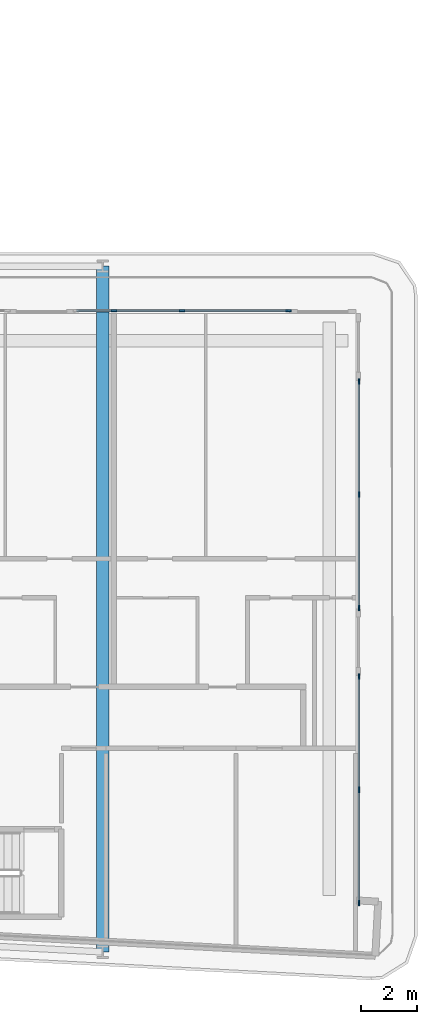
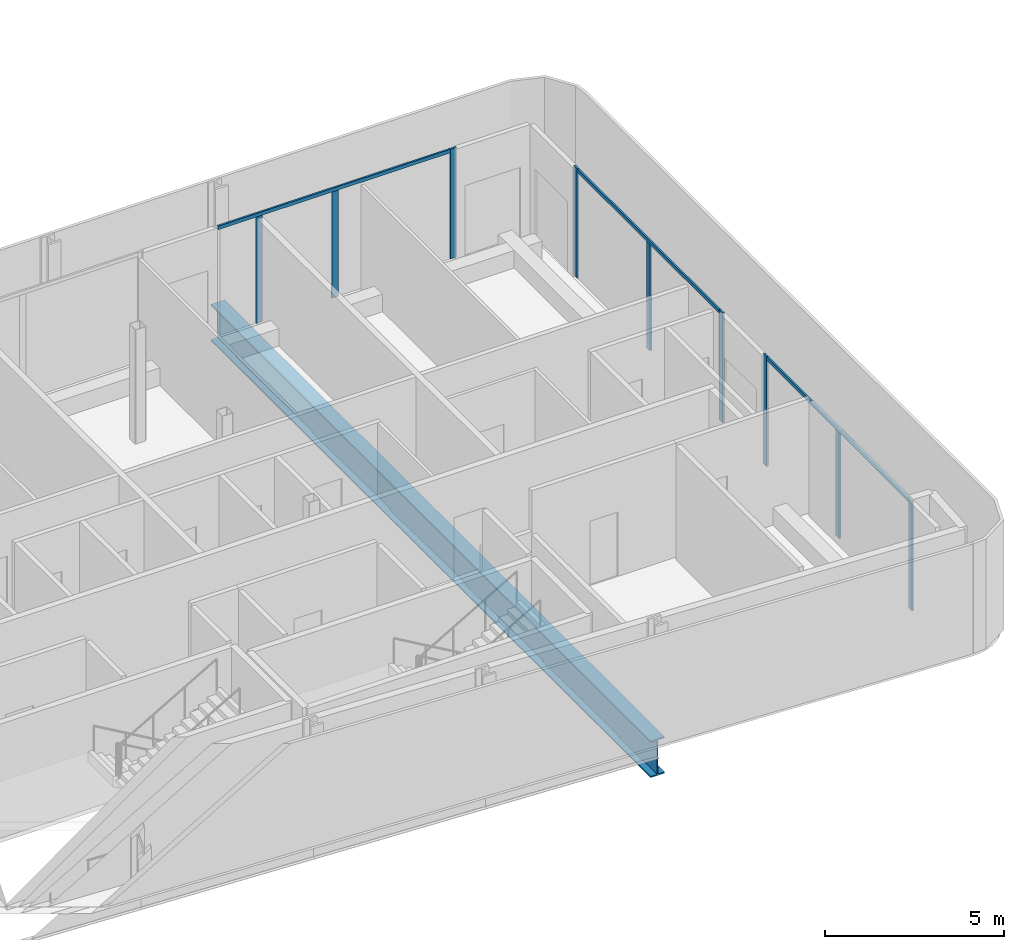
# One storey, part 8 of 28: 12 members, 1 beam, 3 elements without a shape of their own.
"""IFC4 building model written with IfcOpenShell, lengths in metres."""

import ifcopenshell
import ifcopenshell.guid

model = None  # the IFC model being written
_history = None  # IfcOwnerHistory: only IFC2X3 demands one
_inside = {}  # id of a spatial element -> (the spatial element, [elements in it])
_under = {}  # id of a project, library or spatial element -> (it, [spatial elements below it])
_declared = {}  # id of a project -> (the project, [libraries it declares])
_typed = {}  # id of a type object -> (the type object, [elements of that type])
_made_of = {}  # id of a material, layer set ... -> (it, [elements and type objects made of it])


def new_model(schema):
    """Start an empty IFC model of exactly this schema.

    Asked for "IFC4X3", IfcOpenShell would pick the latest addendum, in which some entities
    have other attributes; the version numbers below select the first issue.
    IFC2X3 requires an IfcOwnerHistory on every rooted entity: one is made here for all.
    """
    global model, _history
    if schema == "IFC4X3":
        model = ifcopenshell.file(schema_version=(4, 3, 0, 0))
    else:
        model = ifcopenshell.file(schema=schema)
    _inside.clear()
    _under.clear()
    _declared.clear()
    _typed.clear()
    _made_of.clear()
    _history = None
    if model.schema == "IFC2X3":
        org = make("IfcOrganization", Name="unknown")
        user = make(
            "IfcPersonAndOrganization",
            ThePerson=make("IfcPerson", FamilyName="unknown"),
            TheOrganization=org,
        )
        app = make(
            "IfcApplication",
            ApplicationDeveloper=org,
            Version="unknown",
            ApplicationFullName="unknown",
            ApplicationIdentifier="unknown",
        )
        _history = make(
            "IfcOwnerHistory",
            OwningUser=user,
            OwningApplication=app,
            ChangeAction="ADDED",
            CreationDate=0,
        )
    return model


def make(cls, **values):
    """One entity of the class cls with the attributes given. An attribute that is None is left unset."""
    return model.create_entity(
        cls, **{name: value for name, value in values.items() if value is not None}
    )


def rooted(cls, **values):
    """An entity with a GlobalId (a new one), such as an element, a storey or a relation."""
    return make(cls, GlobalId=ifcopenshell.guid.new(), OwnerHistory=_history, **values)


def si_unit(unit_type, name, prefix=None):
    """IfcSIUnit, for example si_unit("LENGTHUNIT", "METRE", prefix="MILLI")."""
    return make("IfcSIUnit", UnitType=unit_type, Prefix=prefix, Name=name)


def assignment(units):
    """IfcUnitAssignment: the units of a project."""
    return None if units is None else make("IfcUnitAssignment", Units=units)


def point(xyz):
    """IfcCartesianPoint."""
    return None if xyz is None else make("IfcCartesianPoint", Coordinates=xyz)


def direction(xyz):
    """IfcDirection."""
    return None if xyz is None else make("IfcDirection", DirectionRatios=xyz)


def frame(location, z_axis=None, x_axis=None):
    """IfcAxis2Placement3D, a coordinate frame: its origin and axes. An axis left out is left unset."""
    return make(
        "IfcAxis2Placement3D",
        Location=point(location),
        Axis=direction(z_axis),
        RefDirection=direction(x_axis),
    )


def frame_2d(location, x_axis=None):
    """IfcAxis2Placement2D, a coordinate frame in the plane: its origin and x axis."""
    return make(
        "IfcAxis2Placement2D", Location=point(location), RefDirection=direction(x_axis)
    )


def origin():
    """The frame at (0, 0, 0) with its axes left unset."""
    return frame((0.0, 0.0, 0.0))


def origin_2d():
    """The frame at (0, 0) in the plane with its x axis left unset."""
    return frame_2d((0.0, 0.0))


def place(relative_to, where):
    """IfcLocalPlacement: puts the frame where relative to a parent placement (None: the world)."""
    return make(
        "IfcLocalPlacement", PlacementRelTo=relative_to, RelativePlacement=where
    )


def context(
    kind, dimensions, precision=None, world=None, true_north=None, identifier=None
):
    """IfcGeometricRepresentationContext, for example the 3D "Model" context."""
    return make(
        "IfcGeometricRepresentationContext",
        ContextIdentifier=identifier,
        ContextType=kind,
        CoordinateSpaceDimension=dimensions,
        Precision=precision,
        WorldCoordinateSystem=world,
        TrueNorth=true_north,
    )


def subcontext(parent, identifier, kind, view, scale=None):
    """IfcGeometricRepresentationSubContext, for example "Body" below "Model"."""
    return make(
        "IfcGeometricRepresentationSubContext",
        ContextIdentifier=identifier,
        ContextType=kind,
        ParentContext=parent,
        TargetScale=scale,
        TargetView=view,
    )


def project(units=None, contexts=None):
    """IfcProject with its units and contexts."""
    return rooted(
        "IfcProject",
        Name="project",
        RepresentationContexts=contexts,
        UnitsInContext=assignment(units),
    )


def spatial(cls, under=None, at=None, **own):
    """A site, building, storey or space (cls), placed at a placement, below another one or the project."""
    s = rooted(cls, ObjectPlacement=at, **own)
    if under is not None:
        _under.setdefault(under.id(), (under, []))[1].append(s)
    return s


def profile(cls, at=None, kind="AREA", **sizes):
    """A parametric profile (cls). Its sizes go by their IFC names, for example OverallWidth=200.0."""
    return make(cls, ProfileType=kind, Position=at, **sizes)


def rectangle(**sizes):
    """IfcRectangleProfileDef."""
    return profile("IfcRectangleProfileDef", **sizes)


def i_section(**sizes):
    """IfcIShapeProfileDef."""
    return profile("IfcIShapeProfileDef", **sizes)


def extrude(swept, where, along, depth):
    """IfcExtrudedAreaSolid: the profile swept, set in the frame where, extruded along a direction by depth."""
    return make(
        "IfcExtrudedAreaSolid",
        SweptArea=swept,
        Position=where,
        ExtrudedDirection=direction(along),
        Depth=depth,
    )


def shape(context_of_items, identifier, shape_type, items):
    """IfcShapeRepresentation: the items that make up one representation, for example the "Body"."""
    return make(
        "IfcShapeRepresentation",
        ContextOfItems=context_of_items,
        RepresentationIdentifier=identifier,
        RepresentationType=shape_type,
        Items=items,
    )


def material(Name=None, Category=None):
    """IfcMaterial."""
    return make("IfcMaterial", Name=Name, Category=Category)


def layer(
    of_material, thickness, ventilated=None, Name=None, Category=None, Priority=None
):
    """IfcMaterialLayer: one layer of a wall or slab, of a material (None: an air gap)."""
    return make(
        "IfcMaterialLayer",
        Material=of_material,
        LayerThickness=thickness,
        IsVentilated=ventilated,
        Name=Name,
        Category=Category,
        Priority=Priority,
    )


def layer_set(layers, Name=None):
    """IfcMaterialLayerSet."""
    return make("IfcMaterialLayerSet", MaterialLayers=layers, LayerSetName=Name)


def material_profile(
    of_material, cross_section, Name=None, Category=None, Priority=None
):
    """IfcMaterialProfile: a cross section and its material."""
    return make(
        "IfcMaterialProfile",
        Name=Name,
        Material=of_material,
        Profile=cross_section,
        Priority=Priority,
        Category=Category,
    )


def profile_set(profiles, Name=None, composite=None):
    """IfcMaterialProfileSet."""
    return make(
        "IfcMaterialProfileSet",
        Name=Name,
        MaterialProfiles=profiles,
        CompositeProfile=composite,
    )


def made_of(thing, what):
    """Note that an element or type object is made of a material, layer set ...; save() writes the relation."""
    if what is not None:
        _made_of.setdefault(what.id(), (what, []))[1].append(thing)
    return thing


def type_object(cls, material=None, **own):
    """A type object (cls), such as IfcWallType, which elements share."""
    return made_of(rooted(cls, **own), material)


def element(
    cls,
    number,
    at=None,
    inside=None,
    cuts=None,
    type_object=None,
    material=None,
    context=None,
    identifier="Body",
    shape_type=None,
    held_by="IfcProductDefinitionShape",
    body=None,
    shapes=None,
    **own,
):
    """One element of the class cls, such as IfcWall. Its Tag is "e" and its number.

    at: its placement. inside: the storey or other place that contains it. cuts: it is an
    opening in that element (IfcRelVoidsElement). A single representation is given by context,
    identifier, shape_type and body (its items); several are given by shapes. held_by: the class
    of the entity that holds the representations. save() writes the other relations.
    """
    e = rooted(cls, Tag="e%d" % number, ObjectPlacement=at, **own)
    if body is not None:
        shapes = [shape(context, identifier, shape_type, body)]
    if shapes is not None:
        e.Representation = make(held_by, Representations=shapes)
    if inside is not None:
        _inside.setdefault(inside.id(), (inside, []))[1].append(e)
    if cuts is not None:
        rooted(
            "IfcRelVoidsElement", RelatingBuildingElement=cuts, RelatedOpeningElement=e
        )
    if type_object is not None:
        _typed.setdefault(type_object.id(), (type_object, []))[1].append(e)
    return made_of(e, material)


def aggregate(whole, parts):
    """IfcRelAggregates: a whole, such as a stair, and the parts it consists of."""
    return rooted("IfcRelAggregates", RelatingObject=whole, RelatedObjects=parts)


def save(model, path):
    """Write the relations noted so far, then the file.

    IfcRelAggregates (storeys below a building ...), IfcRelContainedInSpatialStructure (elements
    in a storey), IfcRelDefinesByType, IfcRelAssociatesMaterial and IfcRelDeclares: one each for
    every whole, place, type object, material and project.
    """
    for whole, parts in _under.values():
        aggregate(whole, parts)
    for where, things in _inside.values():
        rooted(
            "IfcRelContainedInSpatialStructure",
            RelatedElements=things,
            RelatingStructure=where,
        )
    for kind, things in _typed.values():
        rooted("IfcRelDefinesByType", RelatedObjects=things, RelatingType=kind)
    for what, things in _made_of.values():
        rooted("IfcRelAssociatesMaterial", RelatedObjects=things, RelatingMaterial=what)
    for by, libraries in _declared.values():
        rooted("IfcRelDeclares", RelatingContext=by, RelatedDefinitions=libraries)
    model.write(path)


model = new_model("IFC4")

# Units and contexts
model_context = context("Model", 3, precision=1e-05, world=origin(), true_north=direction((0.0, 1.0)))
body_context = subcontext(model_context, "Body", "Model", "MODEL_VIEW")
ifc_project = project(units=[si_unit("LENGTHUNIT", "METRE"), si_unit("AREAUNIT", "SQUARE_METRE"), si_unit("VOLUMEUNIT", "CUBIC_METRE"), si_unit("PLANEANGLEUNIT", "RADIAN"), si_unit("MASSUNIT", "GRAM", prefix="KILO")], contexts=[model_context])

# Site, building, storey
site_placement = place(None, origin())
site = spatial("IfcSite", under=ifc_project, at=site_placement, CompositionType="ELEMENT")
building_placement = place(site_placement, origin())
building = spatial("IfcBuilding", under=site, at=building_placement, Name="Kheshtan School and Residences Tower", CompositionType="ELEMENT")
storey_placement = place(building_placement, frame((0.0, 0.0, 129.199951171875)))
storey = spatial("IfcBuildingStorey", under=building, at=storey_placement, Name="L30", CompositionType="ELEMENT", Elevation=129.199951171875)

# Curtain wall, members
ifc_material_1 = material(Name="Clear low-e glass in thermally broken aluminium frame", Category="aluminium")
ifc_layer = layer(ifc_material_1, 0.199951171875)
ifc_layer_set = layer_set([ifc_layer], Name="Curtain wall CW-L")
curtain_wall_type = type_object("IfcCurtainWallType", Name="Curtain wall CW-L", PredefinedType="NOTDEFINED", material=ifc_layer_set)
curtain_wall_1_placement = place(storey_placement, origin())
curtain_wall_1 = element("IfcCurtainWall", 1, at=curtain_wall_1_placement, inside=storey, type_object=curtain_wall_type, Name="Curtain wall CWL12k", PredefinedType="NOTDEFINED")
ifc_material_2 = material(Name="Thermally broken aluminium, dark bronze anodised", Category="aluminium")
ifc_material_profile_1 = material_profile(ifc_material_2, rectangle(XDim=0.06005859375, YDim=0.199951171875, at=origin_2d()), Name="CW-L mullion 60x200")
ifc_profile_set_1 = profile_set([ifc_material_profile_1], Name="Thermally broken aluminium, dark bronze anodised")
member_type_1 = type_object("IfcMemberType", Name="CW-L mullion 60x200", PredefinedType="MULLION", material=ifc_profile_set_1)
member_1_placement = place(storey_placement, frame((91.199951171875, 44.0, 0.0), z_axis=(0.0, 0.0, 1.0), x_axis=(0.0, 1.0, 0.0)))
member_1 = element("IfcMember", 2, at=member_1_placement, type_object=member_type_1, Name="CWL12k mullion 2", PredefinedType="MULLION", context=body_context, shape_type="SweptSolid", body=[
    extrude(rectangle(XDim=0.06005859375, YDim=0.199951171875, at=origin_2d()), origin(), (0.0, 0.0, 1.0), 3.630126953125),
])
member_2_placement = place(storey_placement, frame((93.653076171875, 44.0, 0.0), z_axis=(0.0, 0.0, 1.0), x_axis=(0.0, 1.0, 0.0)))
member_2 = element("IfcMember", 3, at=member_2_placement, type_object=member_type_1, Name="CWL12k mullion 3", PredefinedType="MULLION", context=body_context, shape_type="SweptSolid", body=[
    extrude(rectangle(XDim=0.06005859375, YDim=0.199951171875, at=origin_2d()), origin(), (0.0, 0.0, 1.0), 3.630126953125),
])
member_3_placement = place(storey_placement, frame((97.469970703125, 44.0, 0.0), z_axis=(0.0, 0.0, 1.0), x_axis=(0.0, 1.0, 0.0)))
member_3 = element("IfcMember", 4, at=member_3_placement, type_object=member_type_1, Name="CWL12k mullion 4", PredefinedType="MULLION", context=body_context, shape_type="SweptSolid", body=[
    extrude(rectangle(XDim=0.06005859375, YDim=0.199951171875, at=origin_2d()), origin(), (0.0, 0.0, 1.0), 3.75),
])

curtain_wall_2_placement = place(storey_placement, origin())
curtain_wall_2 = element("IfcCurtainWall", 5, at=curtain_wall_2_placement, inside=storey, type_object=curtain_wall_type, Name="Curtain wall CWL13b", PredefinedType="NOTDEFINED")
member_4_placement = place(storey_placement, frame((100.0, 41.469970703125, 0.0), z_axis=(0.0, 0.0, 1.0), x_axis=(1.0, 0.0, 0.0)))
member_4 = element("IfcMember", 6, at=member_4_placement, type_object=member_type_1, Name="CWL13b mullion 1", PredefinedType="MULLION", context=body_context, shape_type="SweptSolid", body=[
    extrude(rectangle(XDim=0.06005859375, YDim=0.199951171875, at=origin_2d()), origin(), (0.0, 0.0, 1.0), 3.75),
])
member_5_placement = place(storey_placement, frame((100.0, 37.403564453125, 0.0), z_axis=(0.0, 0.0, 1.0), x_axis=(1.0, 0.0, 0.0)))
member_5 = element("IfcMember", 7, at=member_5_placement, type_object=member_type_1, Name="CWL13b mullion 2", PredefinedType="MULLION", context=body_context, shape_type="SweptSolid", body=[
    extrude(rectangle(XDim=0.06005859375, YDim=0.199951171875, at=origin_2d()), origin(), (0.0, 0.0, 1.0), 3.630126953125),
])
member_6_placement = place(storey_placement, frame((100.0, 33.3369140625, 0.0), z_axis=(0.0, 0.0, 1.0), x_axis=(1.0, 0.0, 0.0)))
member_6 = element("IfcMember", 8, at=member_6_placement, type_object=member_type_1, Name="CWL13b mullion 3", PredefinedType="MULLION", context=body_context, shape_type="SweptSolid", body=[
    extrude(rectangle(XDim=0.06005859375, YDim=0.199951171875, at=origin_2d()), origin(), (0.0, 0.0, 1.0), 3.75),
])

curtain_wall_3_placement = place(storey_placement, origin())
curtain_wall_3 = element("IfcCurtainWall", 9, at=curtain_wall_3_placement, inside=storey, type_object=curtain_wall_type, Name="Curtain wall CWL13b", PredefinedType="NOTDEFINED")
member_7_placement = place(storey_placement, frame((100.0, 30.876953125, 0.0), z_axis=(0.0, 0.0, 1.0), x_axis=(1.0, 0.0, 0.0)))
member_7 = element("IfcMember", 10, at=member_7_placement, type_object=member_type_1, Name="CWL13b mullion 1", PredefinedType="MULLION", context=body_context, shape_type="SweptSolid", body=[
    extrude(rectangle(XDim=0.06005859375, YDim=0.199951171875, at=origin_2d()), origin(), (0.0, 0.0, 1.0), 3.75),
])
member_8_placement = place(storey_placement, frame((100.0, 26.810546875, 0.0), z_axis=(0.0, 0.0, 1.0), x_axis=(1.0, 0.0, 0.0)))
member_8 = element("IfcMember", 11, at=member_8_placement, type_object=member_type_1, Name="CWL13b mullion 2", PredefinedType="MULLION", context=body_context, shape_type="SweptSolid", body=[
    extrude(rectangle(XDim=0.06005859375, YDim=0.199951171875, at=origin_2d()), origin(), (0.0, 0.0, 1.0), 3.630126953125),
])
member_9_placement = place(storey_placement, frame((100.0, 22.743896484375, 0.0), z_axis=(0.0, 0.0, 1.0), x_axis=(1.0, 0.0, 0.0)))
member_9 = element("IfcMember", 12, at=member_9_placement, type_object=member_type_1, Name="CWL13b mullion 3", PredefinedType="MULLION", context=body_context, shape_type="SweptSolid", body=[
    extrude(rectangle(XDim=0.06005859375, YDim=0.199951171875, at=origin_2d()), origin(), (0.0, 0.0, 1.0), 3.75),
])

# Member
ifc_material_profile_2 = material_profile(ifc_material_2, rectangle(XDim=0.06005859375, YDim=0.1201171875, at=origin_2d()), Name="CW-L transom 60x120")
ifc_profile_set_2 = profile_set([ifc_material_profile_2], Name="Thermally broken aluminium, dark bronze anodised")
member_type_2 = type_object("IfcMemberType", Name="CW-L transom 60x120", PredefinedType="USERDEFINED", material=ifc_profile_set_2)
member_10_placement = place(storey_placement, frame((89.865966796875, 44.0, 3.68994140625), z_axis=(1.0, 0.0, 0.0), x_axis=(0.0, 1.0, 0.0)))
member_10 = element("IfcMember", 13, at=member_10_placement, type_object=member_type_2, Name="CWL12k transom 1", ObjectType="TRANSOM", PredefinedType="USERDEFINED", context=body_context, shape_type="SweptSolid", body=[
    extrude(rectangle(XDim=0.06005859375, YDim=0.1201171875, at=origin_2d()), origin(), (0.0, 0.0, 1.0), 7.573974609375),
])

aggregate(curtain_wall_1, [member_1, member_2, member_3, member_10])

member_11_placement = place(storey_placement, frame((100.0, 41.43994140625, 3.68994140625), z_axis=(0.0, -1.0, 0.0), x_axis=(1.0, 0.0, 0.0)))
member_11 = element("IfcMember", 14, at=member_11_placement, type_object=member_type_2, Name="CWL13b transom 1", ObjectType="TRANSOM", PredefinedType="USERDEFINED", context=body_context, shape_type="SweptSolid", body=[
    extrude(rectangle(XDim=0.06005859375, YDim=0.1201171875, at=origin_2d()), origin(), (0.0, 0.0, 1.0), 8.072998046875),
])

aggregate(curtain_wall_2, [member_4, member_5, member_6, member_11])

member_12_placement = place(storey_placement, frame((100.0, 30.846923828125, 3.68994140625), z_axis=(0.0, -1.0, 0.0), x_axis=(1.0, 0.0, 0.0)))
member_12 = element("IfcMember", 15, at=member_12_placement, type_object=member_type_2, Name="CWL13b transom 1", ObjectType="TRANSOM", PredefinedType="USERDEFINED", context=body_context, shape_type="SweptSolid", body=[
    extrude(rectangle(XDim=0.06005859375, YDim=0.1201171875, at=origin_2d()), origin(), (0.0, 0.0, 1.0), 8.072998046875),
])

aggregate(curtain_wall_3, [member_7, member_8, member_9, member_12])

# Beam
ifc_material_3 = material(Name="Steel ASTM A992 Grade 50", Category="steel")
ifc_material_profile_3 = material_profile(ifc_material_3, i_section(OverallWidth=0.449951171875, OverallDepth=1.25, WebThickness=0.02490234375, FlangeThickness=0.044921875, FilletRadius=0.03759765625, at=origin_2d()), Name="WWF1250x546")
ifc_profile_set_3 = profile_set([ifc_material_profile_3], Name="Steel ASTM A992 Grade 50")
beam_type = type_object("IfcBeamType", Name="Transfer girder TG4 WWF1250x546 ASTM A992 Grade 50", PredefinedType="BEAM", material=ifc_profile_set_3)
beam_placement = place(storey_placement, frame((90.800048828125, 45.60009765625, -0.77490234375), z_axis=(0.0, -1.0, 0.0), x_axis=(1.0, 0.0, 0.0)))
element("IfcBeam", 16, at=beam_placement, inside=storey, type_object=beam_type, Name="Transfer girder C068-C006", PredefinedType="BEAM", context=body_context, shape_type="SweptSolid", body=[
    extrude(i_section(OverallWidth=0.449951171875, OverallDepth=1.25, WebThickness=0.02490234375, FlangeThickness=0.044921875, FilletRadius=0.03759765625, at=origin_2d()), origin(), (0.0, 0.0, 1.0), 24.610107421875),
])

save(model, "model.ifc")
